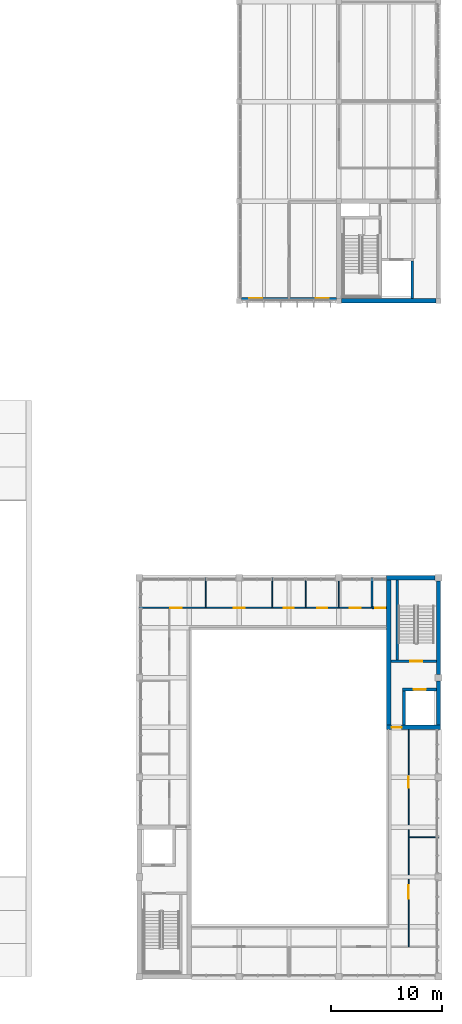
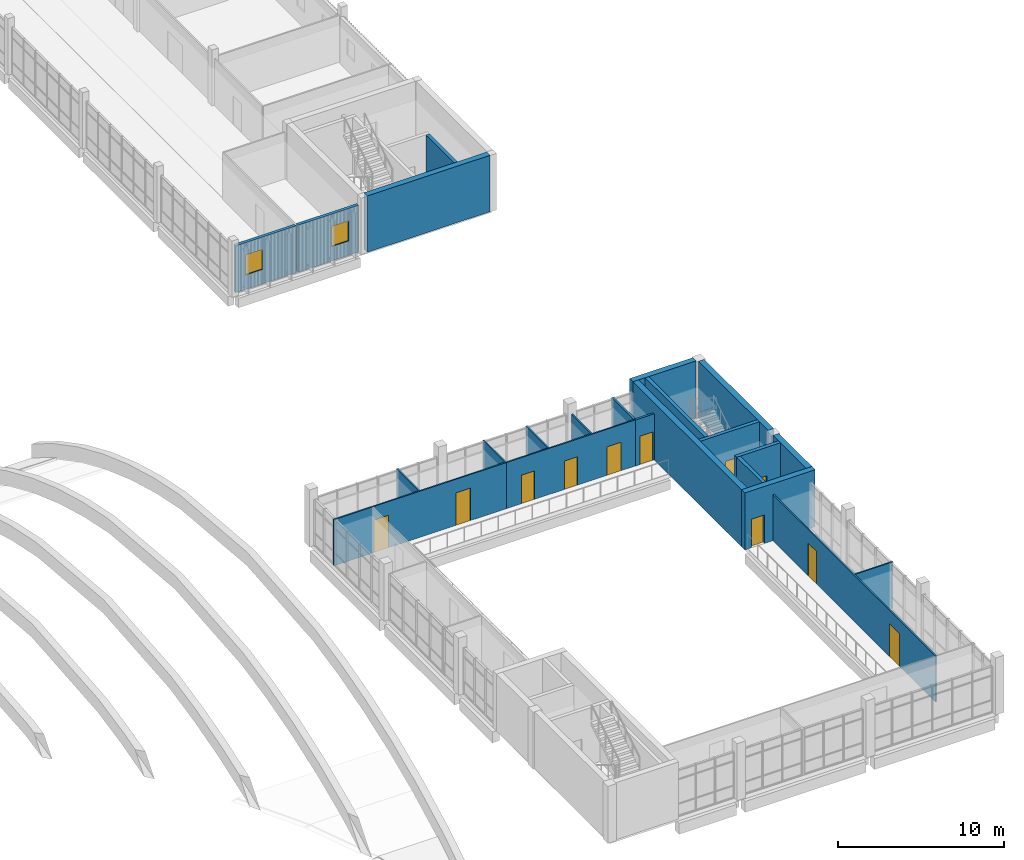
# One storey, part 51 of 88: 23 walls, 11 doors, 2 windows, 13 openings.
"""IFC4 building model written with IfcOpenShell, lengths in metres."""

from ifc_helpers import new_model, si_unit, direction, frame, frame_2d, origin, place, context, subcontext, project, spatial, rectangle, extrude, material, layer, layer_set, type_object, element, fill, save


model = new_model("IFC4")

# Units and contexts
model_context = context("Model", 3, precision=1e-05, world=origin(), true_north=direction((0.0, 1.0)))
body_context = subcontext(model_context, "Body", "Model", "MODEL_VIEW")
ifc_project = project(units=[si_unit("LENGTHUNIT", "METRE"), si_unit("AREAUNIT", "SQUARE_METRE"), si_unit("VOLUMEUNIT", "CUBIC_METRE"), si_unit("PLANEANGLEUNIT", "RADIAN"), si_unit("MASSUNIT", "GRAM", prefix="KILO")], contexts=[model_context])

# Site, building, storey
site_placement = place(None, origin())
site = spatial("IfcSite", under=ifc_project, at=site_placement, CompositionType="ELEMENT")
building_placement = place(site_placement, origin())
building = spatial("IfcBuilding", under=site, at=building_placement, Name="Merrow Basin Faculty of Sciences", CompositionType="ELEMENT")
storey_placement = place(building_placement, frame((0.0, 0.0, 9.0)))
storey = spatial("IfcBuildingStorey", under=building, at=storey_placement, Name="L02", CompositionType="ELEMENT", Elevation=9.0)

# Wall, opening, window
ifc_material_1 = material(Name="Precast concrete C40/50", Category="concrete")
ifc_layer_1 = layer(ifc_material_1, 0.215087890625)
ifc_layer_set_1 = layer_set([ifc_layer_1], Name="External infill wall 215 Precast concrete C40/50")
wall_type_1 = type_object("IfcWallType", Name="External infill wall 215 Precast concrete C40/50", PredefinedType="STANDARD", material=ifc_layer_set_1)
wall_1_placement = place(storey_placement, frame((58.449951171875, 61.193115234375, 0.0), z_axis=(0.0, 0.0, 1.0), x_axis=(-1.0, 0.0, 0.0)))
wall_1 = element("IfcWall", 1, at=wall_1_placement, inside=storey, type_object=wall_type_1, Name="S external wall 1", PredefinedType="STANDARD", context=body_context, shape_type="SweptSolid", body=[
    extrude(rectangle(XDim=4.224853515625, YDim=0.215087890625, at=frame_2d((2.1123046875, 0.0))), origin(), (0.0, 0.0, 1.0), 3.449951171875),
])
opening_1_placement = place(wall_1_placement, frame((2.35009765625, 0.0, 1.050048828125)))
opening_1 = element("IfcOpeningElement", 2, at=opening_1_placement, cuts=wall_1, Name="Opening WN12", PredefinedType="OPENING", context=body_context, shape_type="SweptSolid", body=[
    extrude(rectangle(XDim=1.199951171875, YDim=1.5, at=frame_2d((0.60009765625, 0.75))), frame((0.0, 0.117431640625, 0.0), z_axis=(0.0, -1.0, 0.0), x_axis=(1.0, 0.0, 0.0)), (0.0, 0.0, 1.0), 0.235107421875),
])
ifc_material_2 = material(Name="Low-E double glazing", Category="glass")
window_type = type_object("IfcWindowType", Name="Clerestory window 1200 x 1500", PartitioningType="SINGLE_PANEL", PredefinedType="WINDOW", material=ifc_material_2)
window_1_placement = place(opening_1_placement, origin())
window_1 = element("IfcWindow", 3, at=window_1_placement, inside=storey, type_object=window_type, Name="S window L02", OverallHeight=1.5, OverallWidth=1.199951171875, PartitioningType="SINGLE_PANEL", PredefinedType="WINDOW", context=body_context, shape_type="SweptSolid", body=[
    extrude(rectangle(XDim=1.199951171875, YDim=1.5, at=frame_2d((0.60009765625, 0.75))), frame((0.0, 0.030029296875, 0.0), z_axis=(0.0, -1.0, 0.0), x_axis=(1.0, 0.0, 0.0)), (0.0, 0.0, 1.0), 0.06005859375),
])
fill(opening_1, window_1)

wall_2_placement = place(storey_placement, frame((62.77490234375, 61.193115234375, 0.0), z_axis=(0.0, 0.0, 1.0), x_axis=(-1.0, 0.0, 0.0)))
wall_2 = element("IfcWall", 4, at=wall_2_placement, inside=storey, type_object=wall_type_1, Name="S external wall 2", PredefinedType="STANDARD", context=body_context, shape_type="SweptSolid", body=[
    extrude(rectangle(XDim=4.224853515625, YDim=0.215087890625, at=frame_2d((2.1123046875, 0.0))), origin(), (0.0, 0.0, 1.0), 3.449951171875),
])
opening_2_placement = place(wall_2_placement, frame((0.675048828125, 0.0, 1.050048828125)))
opening_2 = element("IfcOpeningElement", 5, at=opening_2_placement, cuts=wall_2, Name="Opening WN12", PredefinedType="OPENING", context=body_context, shape_type="SweptSolid", body=[
    extrude(rectangle(XDim=1.199951171875, YDim=1.5, at=frame_2d((0.60009765625, 0.75))), frame((0.0, 0.117431640625, 0.0), z_axis=(0.0, -1.0, 0.0), x_axis=(1.0, 0.0, 0.0)), (0.0, 0.0, 1.0), 0.235107421875),
])
window_2_placement = place(opening_2_placement, origin())
window_2 = element("IfcWindow", 6, at=window_2_placement, inside=storey, type_object=window_type, Name="S window L02", OverallHeight=1.5, OverallWidth=1.199951171875, PartitioningType="SINGLE_PANEL", PredefinedType="WINDOW", context=body_context, shape_type="SweptSolid", body=[
    extrude(rectangle(XDim=1.199951171875, YDim=1.5, at=frame_2d((0.60009765625, 0.75))), frame((0.0, 0.030029296875, 0.0), z_axis=(0.0, -1.0, 0.0), x_axis=(1.0, 0.0, 0.0)), (0.0, 0.0, 1.0), 0.06005859375),
])
fill(opening_2, window_2)

# Wall
ifc_material_3 = material(Name="Gypsum board")
ifc_layer_2 = layer(ifc_material_3, 0.10009765625)
ifc_layer_set_2 = layer_set([ifc_layer_2], Name="Partition 100 gypsum board on steel studs")
wall_type_2 = type_object("IfcWallType", Name="Partition 100 gypsum board on steel studs", PredefinedType="PARTITIONING", material=ifc_layer_set_2)
wall_3_placement = place(storey_placement, frame((51.0, 33.300048828125, 0.0), z_axis=(0.0, 0.0, 1.0), x_axis=(0.0, 1.0, 0.0)))
element("IfcWall", 7, at=wall_3_placement, inside=storey, type_object=wall_type_2, Name="IW100 L02 008", PredefinedType="PARTITIONING", context=body_context, shape_type="SweptSolid", body=[
    extrude(rectangle(XDim=2.699951171875, YDim=0.10009765625, at=frame_2d((1.35009765625, 0.0))), origin(), (0.0, 0.0, 1.0), 3.39990234375),
])

# Wall, openings, doors
wall_4_placement = place(storey_placement, frame((69.300048828125, 2.699951171875, 0.0), z_axis=(0.0, 0.0, 1.0), x_axis=(0.0, 1.0, 0.0)))
wall_4 = element("IfcWall", 8, at=wall_4_placement, inside=storey, type_object=wall_type_2, Name="IW100 L02 010", PredefinedType="PARTITIONING", context=body_context, shape_type="SweptSolid", body=[
    extrude(rectangle(XDim=19.60009765625, YDim=0.10009765625, at=frame_2d((9.800048828125, 0.0))), origin(), (0.0, 0.0, 1.0), 3.39990234375),
])
opening_3_placement = place(wall_4_placement, frame((4.35009765625, 0.0, 0.0)))
opening_3 = element("IfcOpeningElement", 9, at=opening_3_placement, cuts=wall_4, Name="Opening D02A007", PredefinedType="OPENING", context=body_context, shape_type="SweptSolid", body=[
    extrude(rectangle(XDim=1.199951171875, YDim=2.39990234375, at=frame_2d((0.60009765625, 1.199951171875))), frame((0.0, 0.06005859375, 0.0), z_axis=(0.0, -1.0, 0.0), x_axis=(1.0, 0.0, 0.0)), (0.0, 0.0, 1.0), 0.1201171875),
])
opening_4_placement = place(wall_4_placement, frame((14.35009765625, 0.0, 0.0)))
opening_4 = element("IfcOpeningElement", 10, at=opening_4_placement, cuts=wall_4, Name="Opening D02A008", PredefinedType="OPENING", context=body_context, shape_type="SweptSolid", body=[
    extrude(rectangle(XDim=1.0, YDim=2.39990234375, at=frame_2d((0.5, 1.199951171875))), frame((0.0, 0.06005859375, 0.0), z_axis=(0.0, -1.0, 0.0), x_axis=(1.0, 0.0, 0.0)), (0.0, 0.0, 1.0), 0.1201171875),
])
ifc_material_4 = material(Name="Glazed aluminium door", Category="aluminium")
door_type_1 = type_object("IfcDoorType", Name="Glazed single door 1000 x 2400", OperationType="NOTDEFINED", PredefinedType="DOOR", material=ifc_material_4)
door_1_placement = place(opening_4_placement, origin())
door_1 = element("IfcDoor", 11, at=door_1_placement, inside=storey, type_object=door_type_1, Name="Door D02A008", OperationType="SINGLE_SWING_LEFT", OverallHeight=2.39990234375, OverallWidth=1.0, PredefinedType="DOOR", context=body_context, shape_type="SweptSolid", body=[
    extrude(rectangle(XDim=1.0, YDim=2.39990234375, at=frame_2d((0.5, 1.199951171875))), frame((0.0, 0.02490234375, 0.0), z_axis=(0.0, -1.0, 0.0), x_axis=(1.0, 0.0, 0.0)), (0.0, 0.0, 1.0), 0.050048828125),
])
fill(opening_4, door_1)
ifc_material_5 = material(Name="Glazed aluminium door", Category="aluminium")
door_type_2 = type_object("IfcDoorType", Name="Glazed single door 1200 x 2400", OperationType="NOTDEFINED", PredefinedType="DOOR", material=ifc_material_5)
door_2_placement = place(opening_3_placement, origin())
door_2 = element("IfcDoor", 12, at=door_2_placement, inside=storey, type_object=door_type_2, Name="Door D02A007", OperationType="SINGLE_SWING_LEFT", OverallHeight=2.39990234375, OverallWidth=1.199951171875, PredefinedType="DOOR", context=body_context, shape_type="SweptSolid", body=[
    extrude(rectangle(XDim=1.199951171875, YDim=2.39990234375, at=frame_2d((0.60009765625, 1.199951171875))), frame((0.0, 0.02490234375, 0.0), z_axis=(0.0, -1.0, 0.0), x_axis=(1.0, 0.0, 0.0)), (0.0, 0.0, 1.0), 0.050048828125),
])
fill(opening_3, door_2)

# Wall
wall_5_placement = place(storey_placement, frame((69.35009765625, 12.60009765625, 0.0), z_axis=(0.0, 0.0, 1.0), x_axis=(1.0, 0.0, 0.0)))
element("IfcWall", 13, at=wall_5_placement, inside=storey, type_object=wall_type_2, Name="IW100 L02 012", PredefinedType="PARTITIONING", context=body_context, shape_type="SweptSolid", body=[
    extrude(rectangle(XDim=2.64990234375, YDim=0.10009765625, at=frame_2d((1.324951171875, 0.0))), origin(), (0.0, 0.0, 1.0), 3.39990234375),
])

# Wall, openings, doors
wall_6_placement = place(storey_placement, frame((45.0, 33.300048828125, 0.0), z_axis=(0.0, 0.0, 1.0), x_axis=(1.0, 0.0, 0.0)))
wall_6 = element("IfcWall", 14, at=wall_6_placement, inside=storey, type_object=wall_type_2, Name="IW100 L02 015", PredefinedType="PARTITIONING", context=body_context, shape_type="SweptSolid", body=[
    extrude(rectangle(XDim=12.0, YDim=0.10009765625, at=frame_2d((6.0, 0.0))), origin(), (0.0, 0.0, 1.0), 3.39990234375),
])
opening_5_placement = place(wall_6_placement, frame((2.800048828125, 0.0, 0.0)))
opening_5 = element("IfcOpeningElement", 15, at=opening_5_placement, cuts=wall_6, Name="Opening D02A009", PredefinedType="OPENING", context=body_context, shape_type="SweptSolid", body=[
    extrude(rectangle(XDim=1.0, YDim=2.39990234375, at=frame_2d((0.5, 1.199951171875))), frame((0.0, 0.06005859375, 0.0), z_axis=(0.0, -1.0, 0.0), x_axis=(1.0, 0.0, 0.0)), (0.0, 0.0, 1.0), 0.1201171875),
])
opening_6_placement = place(wall_6_placement, frame((8.5, 0.0, 0.0)))
opening_6 = element("IfcOpeningElement", 16, at=opening_6_placement, cuts=wall_6, Name="Opening D02A010", PredefinedType="OPENING", context=body_context, shape_type="SweptSolid", body=[
    extrude(rectangle(XDim=1.0, YDim=2.39990234375, at=frame_2d((0.5, 1.199951171875))), frame((0.0, 0.06005859375, 0.0), z_axis=(0.0, -1.0, 0.0), x_axis=(1.0, 0.0, 0.0)), (0.0, 0.0, 1.0), 0.1201171875),
])
door_3_placement = place(opening_5_placement, origin())
door_3 = element("IfcDoor", 17, at=door_3_placement, inside=storey, type_object=door_type_1, Name="Door D02A009", OperationType="SINGLE_SWING_RIGHT", OverallHeight=2.39990234375, OverallWidth=1.0, PredefinedType="DOOR", context=body_context, shape_type="SweptSolid", body=[
    extrude(rectangle(XDim=1.0, YDim=2.39990234375, at=frame_2d((0.5, 1.199951171875))), frame((0.0, 0.02490234375, 0.0), z_axis=(0.0, -1.0, 0.0), x_axis=(1.0, 0.0, 0.0)), (0.0, 0.0, 1.0), 0.050048828125),
])
fill(opening_5, door_3)
door_4_placement = place(opening_6_placement, origin())
door_4 = element("IfcDoor", 18, at=door_4_placement, inside=storey, type_object=door_type_1, Name="Door D02A010", OperationType="SINGLE_SWING_LEFT", OverallHeight=2.39990234375, OverallWidth=1.0, PredefinedType="DOOR", context=body_context, shape_type="SweptSolid", body=[
    extrude(rectangle(XDim=1.0, YDim=2.39990234375, at=frame_2d((0.5, 1.199951171875))), frame((0.0, 0.02490234375, 0.0), z_axis=(0.0, -1.0, 0.0), x_axis=(1.0, 0.0, 0.0)), (0.0, 0.0, 1.0), 0.050048828125),
])
fill(opening_6, door_4)

# Walls
ifc_material_6 = material(Name="Moisture-resistant gypsum board")
ifc_layer_3 = layer(ifc_material_6, 0.10009765625)
ifc_layer_set_3 = layer_set([ifc_layer_3], Name="Partition 100 moisture-resistant board on steel studs")
wall_type_3 = type_object("IfcWallType", Name="Partition 100 moisture-resistant board on steel studs", PredefinedType="PARTITIONING", material=ifc_layer_set_3)
for number, where, z_axis, x_axis, name in (
    (19, (57.0, 33.300048828125, 0.0), (0.0, 0.0, 1.0), (0.0, 1.0, 0.0), "IW101 L02 003"),
    (20, (60.0, 33.300048828125, 0.0), (0.0, 0.0, 1.0), (0.0, 1.0, 0.0), "IW101 L02 004"),
):
    element("IfcWall", number, at=place(storey_placement, frame(where, z_axis=z_axis, x_axis=x_axis)), inside=storey, type_object=wall_type_3, Name=name, PredefinedType="PARTITIONING", context=body_context, shape_type="SweptSolid", body=[
        extrude(rectangle(XDim=2.699951171875, YDim=0.10009765625, at=frame_2d((1.35009765625, 0.0))), origin(), (0.0, 0.0, 1.0), 3.39990234375),
    ])
wall_7_placement = place(storey_placement, frame((63.0, 33.300048828125, 0.0), z_axis=(0.0, 0.0, 1.0), x_axis=(0.0, 1.0, 0.0)))
element("IfcWall", 21, at=wall_7_placement, inside=storey, type_object=wall_type_3, Name="IW101 L02 005", PredefinedType="PARTITIONING", context=body_context, shape_type="SweptSolid", body=[
    extrude(rectangle(XDim=2.39990234375, YDim=0.10009765625, at=frame_2d((1.199951171875, 0.0))), origin(), (0.0, 0.0, 1.0), 3.39990234375),
])

# Wall, openings, doors
wall_8_placement = place(storey_placement, frame((57.0, 33.300048828125, 0.0), z_axis=(0.0, 0.0, 1.0), x_axis=(1.0, 0.0, 0.0)))
wall_8 = element("IfcWall", 22, at=wall_8_placement, inside=storey, type_object=wall_type_3, Name="IW101 L02 006", PredefinedType="PARTITIONING", context=body_context, shape_type="SweptSolid", body=[
    extrude(rectangle(XDim=9.0, YDim=0.10009765625, at=frame_2d((4.5, 0.0))), origin(), (0.0, 0.0, 1.0), 3.39990234375),
])
opening_7_placement = place(wall_8_placement, frame((1.050048828125, 0.0, 0.0)))
opening_7 = element("IfcOpeningElement", 23, at=opening_7_placement, cuts=wall_8, Name="Opening D02A011", PredefinedType="OPENING", context=body_context, shape_type="SweptSolid", body=[
    extrude(rectangle(XDim=0.89990234375, YDim=2.10009765625, at=frame_2d((0.449951171875, 1.050048828125))), frame((0.0, 0.06005859375, 0.0), z_axis=(0.0, -1.0, 0.0), x_axis=(1.0, 0.0, 0.0)), (0.0, 0.0, 1.0), 0.1201171875),
])
opening_8_placement = place(wall_8_placement, frame((4.050048828125, 0.0, 0.0)))
opening_8 = element("IfcOpeningElement", 24, at=opening_8_placement, cuts=wall_8, Name="Opening D02A012", PredefinedType="OPENING", context=body_context, shape_type="SweptSolid", body=[
    extrude(rectangle(XDim=0.89990234375, YDim=2.10009765625, at=frame_2d((0.449951171875, 1.050048828125))), frame((0.0, 0.06005859375, 0.0), z_axis=(0.0, -1.0, 0.0), x_axis=(1.0, 0.0, 0.0)), (0.0, 0.0, 1.0), 0.1201171875),
])
opening_9_placement = place(wall_8_placement, frame((7.0, 0.0, 0.0)))
opening_9 = element("IfcOpeningElement", 25, at=opening_9_placement, cuts=wall_8, Name="Opening D02A013", PredefinedType="OPENING", context=body_context, shape_type="SweptSolid", body=[
    extrude(rectangle(XDim=1.0, YDim=2.10009765625, at=frame_2d((0.5, 1.050048828125))), frame((0.0, 0.06005859375, 0.0), z_axis=(0.0, -1.0, 0.0), x_axis=(1.0, 0.0, 0.0)), (0.0, 0.0, 1.0), 0.1201171875),
])
ifc_material_7 = material(Name="Timber door leaf", Category="wood")
door_type_3 = type_object("IfcDoorType", Name="Accessible door 1000 x 2100", OperationType="NOTDEFINED", PredefinedType="DOOR", material=ifc_material_7)
door_5_placement = place(opening_9_placement, origin())
door_5 = element("IfcDoor", 26, at=door_5_placement, inside=storey, type_object=door_type_3, Name="Door D02A013", OperationType="SINGLE_SWING_LEFT", OverallHeight=2.10009765625, OverallWidth=1.0, PredefinedType="DOOR", context=body_context, shape_type="SweptSolid", body=[
    extrude(rectangle(XDim=1.0, YDim=2.10009765625, at=frame_2d((0.5, 1.050048828125))), frame((0.0, 0.02490234375, 0.0), z_axis=(0.0, -1.0, 0.0), x_axis=(1.0, 0.0, 0.0)), (0.0, 0.0, 1.0), 0.050048828125),
])
fill(opening_9, door_5)
ifc_material_8 = material(Name="Timber door leaf", Category="wood")
door_type_4 = type_object("IfcDoorType", Name="Single swing door 900 x 2100", OperationType="NOTDEFINED", PredefinedType="DOOR", material=ifc_material_8)
door_6_placement = place(opening_7_placement, origin())
door_6 = element("IfcDoor", 27, at=door_6_placement, inside=storey, type_object=door_type_4, Name="Door D02A011", OperationType="SINGLE_SWING_LEFT", OverallHeight=2.10009765625, OverallWidth=0.89990234375, PredefinedType="DOOR", context=body_context, shape_type="SweptSolid", body=[
    extrude(rectangle(XDim=0.89990234375, YDim=2.10009765625, at=frame_2d((0.449951171875, 1.050048828125))), frame((0.0, 0.02490234375, 0.0), z_axis=(0.0, -1.0, 0.0), x_axis=(1.0, 0.0, 0.0)), (0.0, 0.0, 1.0), 0.050048828125),
])
fill(opening_7, door_6)
door_7_placement = place(opening_8_placement, origin())
door_7 = element("IfcDoor", 28, at=door_7_placement, inside=storey, type_object=door_type_4, Name="Door D02A012", OperationType="SINGLE_SWING_LEFT", OverallHeight=2.10009765625, OverallWidth=0.89990234375, PredefinedType="DOOR", context=body_context, shape_type="SweptSolid", body=[
    extrude(rectangle(XDim=0.89990234375, YDim=2.10009765625, at=frame_2d((0.449951171875, 1.050048828125))), frame((0.0, 0.02490234375, 0.0), z_axis=(0.0, -1.0, 0.0), x_axis=(1.0, 0.0, 0.0)), (0.0, 0.0, 1.0), 0.050048828125),
])
fill(opening_8, door_7)

# Wall
ifc_material_9 = material(Name="Concrete C40/50", Category="concrete")
ifc_layer_4 = layer(ifc_material_9, 0.25)
ifc_layer_set_4 = layer_set([ifc_layer_4], Name="Shear wall 250 Concrete C40/50")
wall_type_4 = type_object("IfcWallType", Name="Shear wall 250 Concrete C40/50", PredefinedType="SHEAR", material=ifc_layer_set_4)
wall_9_placement = place(storey_placement, frame((69.625, 61.199951171875, 0.0), z_axis=(0.0, 0.0, 1.0), x_axis=(0.0, 1.0, 0.0)))
element("IfcWall", 29, at=wall_9_placement, inside=storey, type_object=wall_type_4, Name="SW2 L02 016", PredefinedType="SHEAR", context=body_context, shape_type="SweptSolid", body=[
    extrude(rectangle(XDim=3.400146484375, YDim=0.25, at=frame_2d((1.7001953125, 0.0))), origin(), (0.0, 0.0, 1.0), 4.14990234375),
])

# Wall, opening, door
wall_10_placement = place(storey_placement, frame((67.699951171875, 28.47509765625, 0.0), z_axis=(0.0, 0.0, 1.0), x_axis=(1.0, 0.0, 0.0)))
wall_10 = element("IfcWall", 30, at=wall_10_placement, inside=storey, type_object=wall_type_4, Name="SW2 L02 015", PredefinedType="SHEAR", context=body_context, shape_type="SweptSolid", body=[
    extrude(rectangle(XDim=4.10009765625, YDim=0.25, at=frame_2d((2.050048828125, 0.0))), origin(), (0.0, 0.0, 1.0), 4.199951171875),
])
opening_10_placement = place(wall_10_placement, frame((1.75, 0.0, 0.0)))
opening_10 = element("IfcOpeningElement", 31, at=opening_10_placement, cuts=wall_10, Name="Opening D02A003", PredefinedType="OPENING", context=body_context, shape_type="SweptSolid", body=[
    extrude(rectangle(XDim=1.10009765625, YDim=2.10009765625, at=frame_2d((0.550048828125, 1.050048828125))), frame((0.0, 0.135009765625, 0.0), z_axis=(0.0, -1.0, 0.0), x_axis=(1.0, 0.0, 0.0)), (0.0, 0.0, 1.0), 0.27001953125),
])
ifc_material_10 = material(Name="Fire-rated steel door", Category="steel")
door_type_5 = type_object("IfcDoorType", Name="Fire door FD90 1100 x 2100", OperationType="NOTDEFINED", PredefinedType="DOOR", material=ifc_material_10)
door_8_placement = place(opening_10_placement, origin())
door_8 = element("IfcDoor", 32, at=door_8_placement, inside=storey, type_object=door_type_5, Name="Door D02A003", OperationType="SINGLE_SWING_RIGHT", OverallHeight=2.10009765625, OverallWidth=1.10009765625, PredefinedType="DOOR", context=body_context, shape_type="SweptSolid", body=[
    extrude(rectangle(XDim=1.10009765625, YDim=2.10009765625, at=frame_2d((0.550048828125, 1.050048828125))), frame((0.0, 0.02490234375, 0.0), z_axis=(0.0, -1.0, 0.0), x_axis=(1.0, 0.0, 0.0)), (0.0, 0.0, 1.0), 0.050048828125),
])
fill(opening_10, door_8)

# Wall
wall_11_placement = place(storey_placement, frame((68.27490234375, 28.60009765625, 0.0), z_axis=(0.0, 0.0, 1.0), x_axis=(0.0, 1.0, 0.0)))
element("IfcWall", 33, at=wall_11_placement, inside=storey, type_object=wall_type_4, Name="SW2 L02 016", PredefinedType="SHEAR", context=body_context, shape_type="SweptSolid", body=[
    extrude(rectangle(XDim=7.199951171875, YDim=0.25, at=frame_2d((3.60009765625, 0.0))), origin(), (0.0, 0.0, 1.0), 4.199951171875),
])

# Wall, opening, door
wall_12_placement = place(storey_placement, frame((68.75, 25.925048828125, 0.0), z_axis=(0.0, 0.0, 1.0), x_axis=(1.0, 0.0, 0.0)))
wall_12 = element("IfcWall", 34, at=wall_12_placement, inside=storey, type_object=wall_type_4, Name="SW2 L02 017", PredefinedType="SHEAR", context=body_context, shape_type="SweptSolid", body=[
    extrude(rectangle(XDim=3.050048828125, YDim=0.25, at=frame_2d((1.52490234375, 0.0))), origin(), (0.0, 0.0, 1.0), 4.199951171875),
])
opening_11_placement = place(wall_12_placement, frame((1.0, 0.0, 0.0)))
opening_11 = element("IfcOpeningElement", 35, at=opening_11_placement, cuts=wall_12, Name="Opening LD02A02", PredefinedType="OPENING", context=body_context, shape_type="SweptSolid", body=[
    extrude(rectangle(XDim=1.10009765625, YDim=2.10009765625, at=frame_2d((0.550048828125, 1.050048828125))), frame((0.0, 0.135009765625, 0.0), z_axis=(0.0, -1.0, 0.0), x_axis=(1.0, 0.0, 0.0)), (0.0, 0.0, 1.0), 0.27001953125),
])
ifc_material_11 = material(Name="Stainless steel sliding door", Category="steel")
door_type_6 = type_object("IfcDoorType", Name="Lift landing door 1100 x 2100 sliding", OperationType="NOTDEFINED", PredefinedType="DOOR", material=ifc_material_11)
door_9_placement = place(opening_11_placement, origin())
door_9 = element("IfcDoor", 36, at=door_9_placement, inside=storey, type_object=door_type_6, Name="Landing door LF10 L02", OperationType="SLIDING_TO_LEFT", OverallHeight=2.10009765625, OverallWidth=1.10009765625, PredefinedType="DOOR", context=body_context, shape_type="SweptSolid", body=[
    extrude(rectangle(XDim=1.10009765625, YDim=2.10009765625, at=frame_2d((0.550048828125, 1.050048828125))), frame((0.0, 0.02490234375, 0.0), z_axis=(0.0, -1.0, 0.0), x_axis=(1.0, 0.0, 0.0)), (0.0, 0.0, 1.0), 0.050048828125),
])
fill(opening_11, door_9)

# Walls
wall_13_placement = place(storey_placement, frame((68.875, 22.699951171875, 0.0), z_axis=(0.0, 0.0, 1.0), x_axis=(0.0, 1.0, 0.0)))
element("IfcWall", 37, at=wall_13_placement, inside=storey, type_object=wall_type_4, Name="SW2 L02 018", PredefinedType="SHEAR", context=body_context, shape_type="SweptSolid", body=[
    extrude(rectangle(XDim=3.10009765625, YDim=0.25, at=frame_2d((1.550048828125, 0.0))), origin(), (0.0, 0.0, 1.0), 4.199951171875),
])
ifc_material_12 = material(Name="Concrete C40/50", Category="concrete")
ifc_layer_5 = layer(ifc_material_12, 0.39990234375)
ifc_layer_set_5 = layer_set([ifc_layer_5], Name="Shear wall 400 Concrete C40/50")
wall_type_5 = type_object("IfcWallType", Name="Shear wall 400 Concrete C40/50", PredefinedType="SHEAR", material=ifc_layer_set_5)
wall_14_placement = place(storey_placement, frame((63.22509765625, 61.0, 0.0), z_axis=(0.0, 0.0, 1.0), x_axis=(1.0, 0.0, 0.0)))
element("IfcWall", 38, at=wall_14_placement, inside=storey, type_object=wall_type_5, Name="SW1 L02 009", PredefinedType="SHEAR", context=body_context, shape_type="SweptSolid", body=[
    extrude(rectangle(XDim=8.5498046875, YDim=0.39990234375, at=frame_2d((4.27490234375, 0.0))), origin(), (0.0, 0.0, 1.0), 4.14990234375),
])

# Wall, opening, door
wall_15_placement = place(storey_placement, frame((67.300048828125, 22.5, 0.0), z_axis=(0.0, 0.0, 1.0), x_axis=(1.0, 0.0, 0.0)))
wall_15 = element("IfcWall", 39, at=wall_15_placement, inside=storey, type_object=wall_type_5, Name="SW1 L02 010", PredefinedType="SHEAR", context=body_context, shape_type="SweptSolid", body=[
    extrude(rectangle(XDim=4.89990234375, YDim=0.39990234375, at=frame_2d((2.449951171875, 0.0))), origin(), (0.0, 0.0, 1.0), 4.199951171875),
])
opening_12_placement = place(wall_15_placement, frame((0.47509765625, 0.0, 0.0)))
opening_12 = element("IfcOpeningElement", 40, at=opening_12_placement, cuts=wall_15, Name="Opening D02A004", PredefinedType="OPENING", context=body_context, shape_type="SweptSolid", body=[
    extrude(rectangle(XDim=0.89990234375, YDim=2.10009765625, at=frame_2d((0.449951171875, 1.050048828125))), frame((0.0, 0.2099609375, 0.0), z_axis=(0.0, -1.0, 0.0), x_axis=(1.0, 0.0, 0.0)), (0.0, 0.0, 1.0), 0.419921875),
])
ifc_material_13 = material(Name="Fire-rated steel door", Category="steel")
door_type_7 = type_object("IfcDoorType", Name="Fire door FD60 900 x 2100", OperationType="NOTDEFINED", PredefinedType="DOOR", material=ifc_material_13)
door_10_placement = place(opening_12_placement, origin())
door_10 = element("IfcDoor", 41, at=door_10_placement, inside=storey, type_object=door_type_7, Name="Door D02A004", OperationType="SINGLE_SWING_LEFT", OverallHeight=2.10009765625, OverallWidth=0.89990234375, PredefinedType="DOOR", context=body_context, shape_type="SweptSolid", body=[
    extrude(rectangle(XDim=0.89990234375, YDim=2.10009765625, at=frame_2d((0.449951171875, 1.050048828125))), frame((0.0, 0.02490234375, 0.0), z_axis=(0.0, -1.0, 0.0), x_axis=(1.0, 0.0, 0.0)), (0.0, 0.0, 1.0), 0.050048828125),
])
fill(opening_12, door_10)

# Walls
wall_16_placement = place(storey_placement, frame((67.300048828125, 36.0, 0.0), z_axis=(0.0, 0.0, 1.0), x_axis=(1.0, 0.0, 0.0)))
element("IfcWall", 42, at=wall_16_placement, inside=storey, type_object=wall_type_5, Name="SW1 L02 011", PredefinedType="SHEAR", context=body_context, shape_type="SweptSolid", body=[
    extrude(rectangle(XDim=4.39990234375, YDim=0.39990234375, at=frame_2d((2.199951171875, 0.0))), origin(), (0.0, 0.0, 1.0), 4.199951171875),
])
wall_17_placement = place(storey_placement, frame((67.5, 22.699951171875, 0.0), z_axis=(0.0, 0.0, 1.0), x_axis=(0.0, 1.0, 0.0)))
element("IfcWall", 43, at=wall_17_placement, inside=storey, type_object=wall_type_5, Name="SW1 L02 012", PredefinedType="SHEAR", context=body_context, shape_type="SweptSolid", body=[
    extrude(rectangle(XDim=13.10009765625, YDim=0.39990234375, at=frame_2d((6.550048828125, 0.0))), origin(), (0.0, 0.0, 1.0), 4.199951171875),
])
wall_18_placement = place(storey_placement, frame((72.0, 27.300048828125, 0.0), z_axis=(0.0, 0.0, 1.0), x_axis=(0.0, 1.0, 0.0)))
element("IfcWall", 44, at=wall_18_placement, inside=storey, type_object=wall_type_5, Name="SW1 L02 013", PredefinedType="SHEAR", context=body_context, shape_type="SweptSolid", body=[
    extrude(rectangle(XDim=8.39990234375, YDim=0.39990234375, at=frame_2d((4.199951171875, 0.0))), origin(), (0.0, 0.0, 1.0), 4.199951171875),
])
wall_19_placement = place(storey_placement, frame((72.0, 22.699951171875, 0.0), z_axis=(0.0, 0.0, 1.0), x_axis=(0.0, 1.0, 0.0)))
element("IfcWall", 45, at=wall_19_placement, inside=storey, type_object=wall_type_5, Name="SW1 L02 014", PredefinedType="SHEAR", context=body_context, shape_type="SweptSolid", body=[
    extrude(rectangle(XDim=4.0, YDim=0.39990234375, at=frame_2d((2.0, 0.0))), origin(), (0.0, 0.0, 1.0), 4.199951171875),
])
ifc_material_14 = material(Name="Fire-rated gypsum board")
ifc_layer_6 = layer(ifc_material_14, 0.14990234375)
ifc_layer_set_6 = layer_set([ifc_layer_6], Name="Store partition 150 fire-rated board on steel studs")
wall_type_6 = type_object("IfcWallType", Name="Store partition 150 fire-rated board on steel studs", PredefinedType="PARTITIONING", material=ifc_layer_set_6)
wall_20_placement = place(storey_placement, frame((66.0, 33.300048828125, 0.0), z_axis=(0.0, 0.0, 1.0), x_axis=(0.0, 1.0, 0.0)))
element("IfcWall", 46, at=wall_20_placement, inside=storey, type_object=wall_type_6, Name="IW152 L02 001", PredefinedType="PARTITIONING", context=body_context, shape_type="SweptSolid", body=[
    extrude(rectangle(XDim=2.699951171875, YDim=0.14990234375, at=frame_2d((1.35009765625, 0.0))), origin(), (0.0, 0.0, 1.0), 3.39990234375),
])

# Wall, opening, door
wall_21_placement = place(storey_placement, frame((66.0, 33.300048828125, 0.0), z_axis=(0.0, 0.0, 1.0), x_axis=(1.0, 0.0, 0.0)))
wall_21 = element("IfcWall", 47, at=wall_21_placement, inside=storey, type_object=wall_type_6, Name="IW152 L02 002", PredefinedType="PARTITIONING", context=body_context, shape_type="SweptSolid", body=[
    extrude(rectangle(XDim=1.300048828125, YDim=0.14990234375, at=frame_2d((0.64990234375, 0.0))), origin(), (0.0, 0.0, 1.0), 3.39990234375),
])
opening_13_placement = place(wall_21_placement, frame((0.300048828125, 0.0, 0.0)))
opening_13 = element("IfcOpeningElement", 48, at=opening_13_placement, cuts=wall_21, Name="Opening D02A014", PredefinedType="OPENING", context=body_context, shape_type="SweptSolid", body=[
    extrude(rectangle(XDim=0.89990234375, YDim=2.10009765625, at=frame_2d((0.449951171875, 1.050048828125))), frame((0.0, 0.0849609375, 0.0), z_axis=(0.0, -1.0, 0.0), x_axis=(1.0, 0.0, 0.0)), (0.0, 0.0, 1.0), 0.169921875),
])
door_11_placement = place(opening_13_placement, origin())
door_11 = element("IfcDoor", 49, at=door_11_placement, inside=storey, type_object=door_type_7, Name="Door D02A014", OperationType="SINGLE_SWING_LEFT", OverallHeight=2.10009765625, OverallWidth=0.89990234375, PredefinedType="DOOR", context=body_context, shape_type="SweptSolid", body=[
    extrude(rectangle(XDim=0.89990234375, YDim=2.10009765625, at=frame_2d((0.449951171875, 1.050048828125))), frame((0.0, 0.02490234375, 0.0), z_axis=(0.0, -1.0, 0.0), x_axis=(1.0, 0.0, 0.0)), (0.0, 0.0, 1.0), 0.050048828125),
])
fill(opening_13, door_11)

save(model, "model.ifc")
